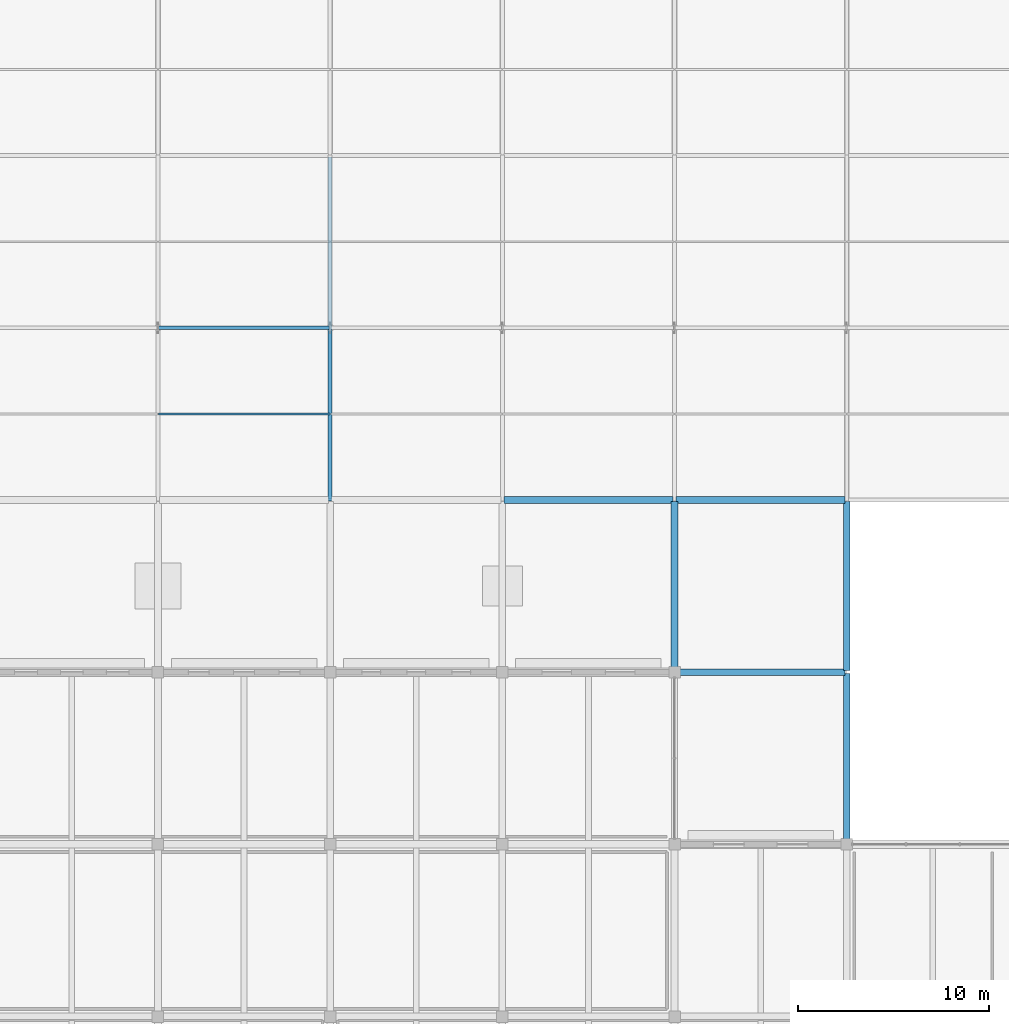
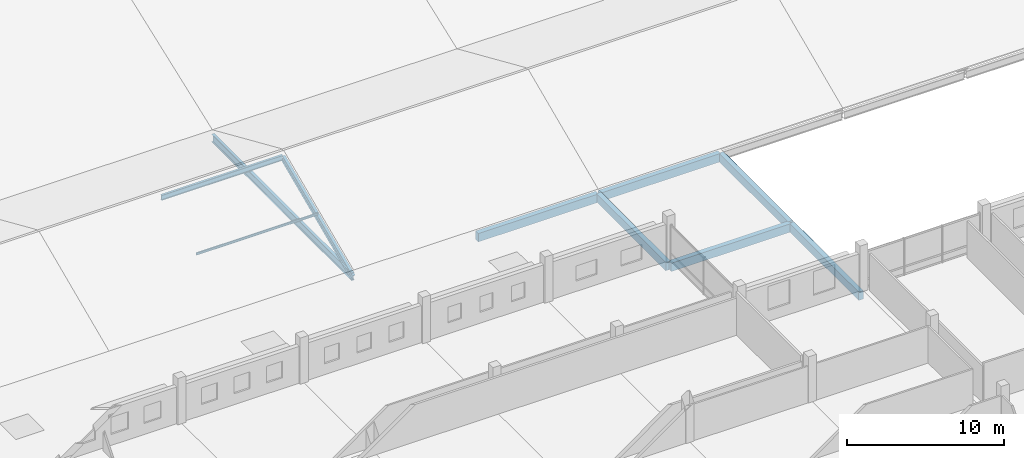
# One storey, part 18 of 163: 7 beams, 3 members.
"""IFC4 building model written with IfcOpenShell, lengths in metres."""

from ifc_helpers import new_model, si_unit, direction, frame, origin, origin_2d, place, context, subcontext, project, spatial, rectangle, i_section, extrude, material, material_profile, profile_set, type_object, element, save


model = new_model("IFC4")

# Units and contexts
model_context = context("Model", 3, precision=1e-05, world=origin(), true_north=direction((0.0, 1.0)))
body_context = subcontext(model_context, "Body", "Model", "MODEL_VIEW")
ifc_project = project(units=[si_unit("LENGTHUNIT", "METRE"), si_unit("AREAUNIT", "SQUARE_METRE"), si_unit("VOLUMEUNIT", "CUBIC_METRE"), si_unit("PLANEANGLEUNIT", "RADIAN"), si_unit("MASSUNIT", "GRAM", prefix="KILO")], contexts=[model_context])

# Site, building, storey
site_placement = place(None, origin())
site = spatial("IfcSite", under=ifc_project, at=site_placement, CompositionType="ELEMENT")
building_placement = place(site_placement, origin())
building = spatial("IfcBuilding", under=site, at=building_placement, Name="Tharagai Park Tramway Depot", CompositionType="ELEMENT")
storey_placement = place(building_placement, frame((0.0, 0.0, 8.39990234375)))
storey = spatial("IfcBuildingStorey", under=building, at=storey_placement, Name="L02", CompositionType="ELEMENT", Elevation=8.39990234375)

# Beams
ifc_material_1 = material(Name="Steel E350", Category="steel")
ifc_material_profile_1 = material_profile(ifc_material_1, i_section(OverallWidth=0.2099609375, OverallDepth=0.60009765625, WebThickness=0.011962890625, FlangeThickness=0.020751953125, FilletRadius=0.02001953125, at=origin_2d()), Name="ISMB 600")
ifc_profile_set_1 = profile_set([ifc_material_profile_1], Name="Steel E350")
beam_type_1 = type_object("IfcBeamType", Name="BM-10", PredefinedType="BEAM", material=ifc_profile_set_1)
beam_placement = place(storey_placement, frame((36.0, 45.080078125, -0.5498046875), z_axis=(0.0, 1.0, 0.0), x_axis=(-1.0, 0.0, 0.0)))
element("IfcBeam", 1, at=beam_placement, inside=storey, type_object=beam_type_1, Name="V2A Gable Tie Girder BM-10", PredefinedType="BEAM", context=body_context, shape_type="SweptSolid", body=[
    extrude(i_section(OverallWidth=0.2099609375, OverallDepth=0.60009765625, WebThickness=0.011962890625, FlangeThickness=0.020751953125, FilletRadius=0.02001953125, at=origin_2d()), origin(), (0.0, 0.0, 1.0), 17.83984375),
])
ifc_material_2 = material(Name="Concrete M35", Category="concrete")
ifc_material_profile_2 = material_profile(ifc_material_2, rectangle(XDim=0.35009765625, YDim=0.64990234375, at=origin_2d()), Name="RC 350x650")
ifc_profile_set_2 = profile_set([ifc_material_profile_2], Name="Concrete M35")
beam_type_2 = type_object("IfcBeamType", Name="BM-13", PredefinedType="BEAM", material=ifc_profile_set_2)
for number, where, z_axis, x_axis, name in (
    (2, (54.0, 36.080078125, -0.56494140625), (0.0, 1.0, 0.0), (-1.0, 0.0, 0.0), "L02 Roof Support Beam BM-13"),
    (3, (45.080078125, 45.0, -0.56494140625), (1.0, 0.0, 0.0), (0.0, 1.0, 0.0), "L02 Roof Support Beam BM-13"),
    (4, (63.0, 27.080078125, -0.56494140625), (0.0, 1.0, 0.0), (-1.0, 0.0, 0.0), "L02 Roof Support Beam BM-13"),
    (5, (63.0, 36.080078125, -0.56494140625), (0.0, 1.0, 0.0), (-1.0, 0.0, 0.0), "L02 Roof Support Beam BM-13"),
    (6, (54.080078125, 36.0, -0.56494140625), (1.0, 0.0, 0.0), (0.0, 1.0, 0.0), "L02 Roof Support Beam BM-13"),
    (7, (54.080078125, 45.0, -0.56494140625), (1.0, 0.0, 0.0), (0.0, 1.0, 0.0), "L02 Roof Support Beam BM-13"),
):
    element("IfcBeam", number, at=place(storey_placement, frame(where, z_axis=z_axis, x_axis=x_axis)), inside=storey, type_object=beam_type_2, Name=name, PredefinedType="BEAM", context=body_context, shape_type="SweptSolid", body=[
        extrude(rectangle(XDim=0.35009765625, YDim=0.64990234375, at=origin_2d()), origin(), (0.0, 0.0, 1.0), 8.83984375),
    ])

# Members
ifc_material_3 = material(Name="Steel E250", Category="steel")
ifc_material_profile_3 = material_profile(ifc_material_3, i_section(OverallWidth=0.090087890625, OverallDepth=0.175048828125, WebThickness=0.005615234375, FlangeThickness=0.009033203125, FilletRadius=0.010009765625, at=origin_2d()), Name="ISMB 175")
ifc_profile_set_3 = profile_set([ifc_material_profile_3], Name="Steel E250")
member_type_1 = type_object("IfcMemberType", Name="PR-01", PredefinedType="PURLIN", material=ifc_profile_set_3)
member_1_placement = place(storey_placement, frame((27.02001953125, 49.5, 1.6689453125), z_axis=(1.0, 0.0, 0.0), x_axis=(0.0, 1.0, 0.0)))
element("IfcMember", 8, at=member_1_placement, inside=storey, type_object=member_type_1, Name="V2A Roof Purlin PR-01", PredefinedType="PURLIN", context=body_context, shape_type="SweptSolid", body=[
    extrude(i_section(OverallWidth=0.090087890625, OverallDepth=0.175048828125, WebThickness=0.005615234375, FlangeThickness=0.009033203125, FilletRadius=0.010009765625, at=origin_2d()), origin(), (0.0, 0.0, 1.0), 8.9599609375),
])
ifc_material_profile_4 = material_profile(ifc_material_1, i_section(OverallWidth=0.199951171875, OverallDepth=0.449951171875, WebThickness=0.00927734375, FlangeThickness=0.015380859375, FilletRadius=0.014892578125, at=origin_2d()), Name="ISWB 450")
ifc_profile_set_4 = profile_set([ifc_material_profile_4], Name="Steel E350")
member_type_2 = type_object("IfcMemberType", Name="RF-03", PredefinedType="RAFTER", material=ifc_profile_set_4)
member_2_placement = place(storey_placement, frame((36.0, 45.050048828125, -0.605224609375), z_axis=(0.0, 0.916242784214, 0.400623464584), x_axis=(-1.0, 0.0, 0.0)))
element("IfcMember", 9, at=member_2_placement, inside=storey, type_object=member_type_2, Name="V2A Pitched Rafter RF-03 South", PredefinedType="RAFTER", context=body_context, shape_type="SweptSolid", body=[
    extrude(i_section(OverallWidth=0.199951171875, OverallDepth=0.449951171875, WebThickness=0.00927734375, FlangeThickness=0.015380859375, FilletRadius=0.014892578125, at=origin_2d()), origin(), (0.0, 0.0, 1.0), 9.76806640625),
])
ifc_material_profile_5 = material_profile(ifc_material_1, i_section(OverallWidth=0.1650390625, OverallDepth=0.39990234375, WebThickness=0.008056640625, FlangeThickness=0.012451171875, FilletRadius=0.013916015625, at=origin_2d()), Name="ISLB 400")
ifc_profile_set_5 = profile_set([ifc_material_profile_5], Name="Steel E350")
member_type_3 = type_object("IfcMemberType", Name="TC-04", PredefinedType="CHORD", material=ifc_profile_set_5)
member_3_placement = place(storey_placement, frame((27.0400390625, 54.0, 3.3330078125), z_axis=(1.0, 0.0, 0.0), x_axis=(0.0, 1.0, 0.0)))
element("IfcMember", 10, at=member_3_placement, inside=storey, type_object=member_type_3, Name="V2A Roof Ridge Chord TC-04", PredefinedType="CHORD", context=body_context, shape_type="SweptSolid", body=[
    extrude(i_section(OverallWidth=0.1650390625, OverallDepth=0.39990234375, WebThickness=0.008056640625, FlangeThickness=0.012451171875, FilletRadius=0.013916015625, at=origin_2d()), origin(), (0.0, 0.0, 1.0), 8.919921875),
])

save(model, "model.ifc")
